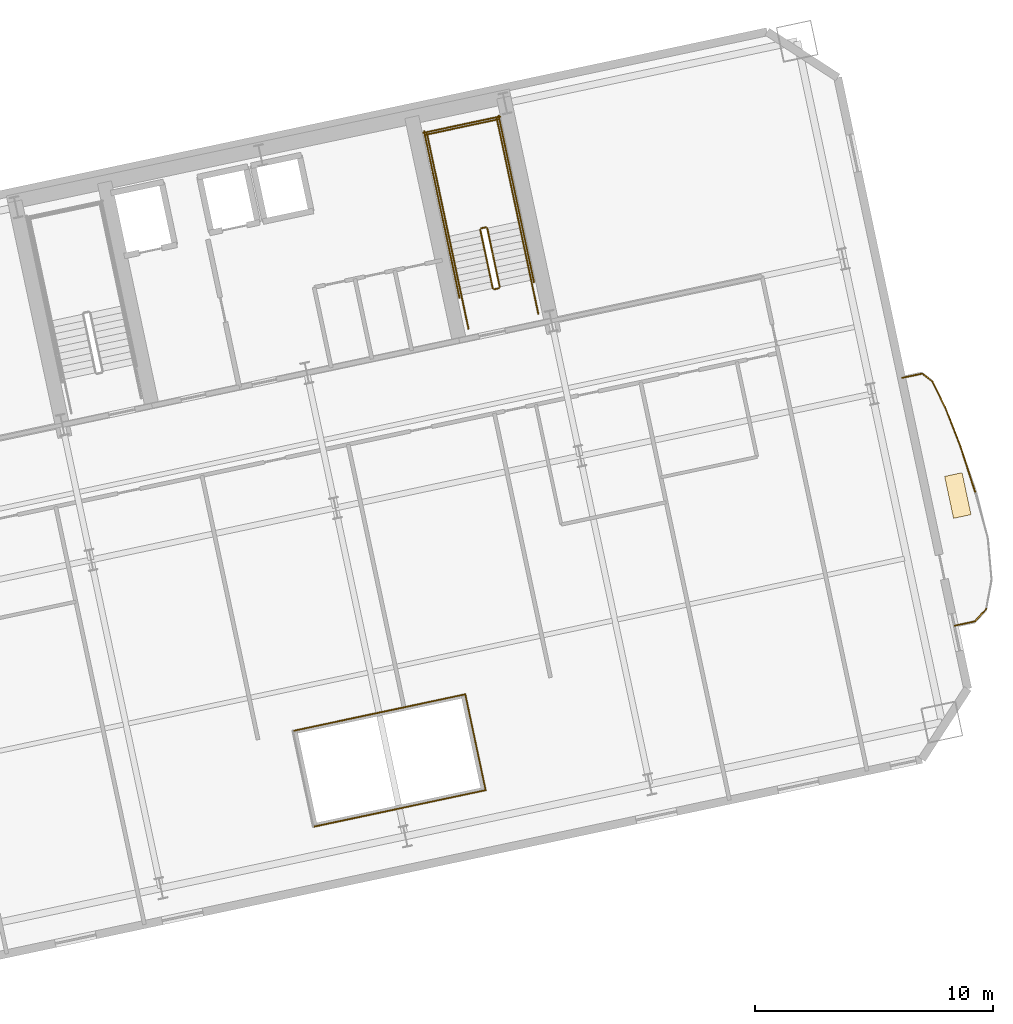
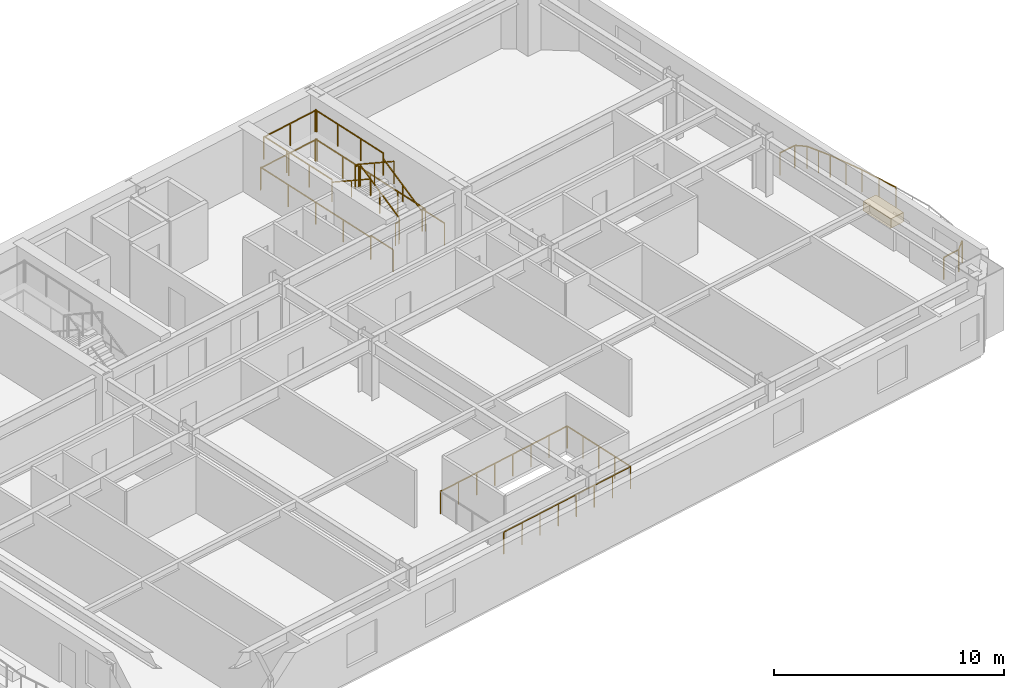
# One storey, part 15 of 16: 24 railings, 1 covering.
"""IFC4 building model written with IfcOpenShell, lengths in metres."""

from ifc_helpers import new_model, si_unit, direction, frame, origin, origin_2d, place, context, subcontext, project, spatial, rectangle, extrude, material, layer, layer_set, type_object, element, save


model = new_model("IFC4")

# Units and contexts
model_context = context("Model", 3, precision=1e-05, world=origin(), true_north=direction((0.0, 1.0)))
body_context = subcontext(model_context, "Body", "Model", "MODEL_VIEW")
ifc_project = project(units=[si_unit("LENGTHUNIT", "METRE"), si_unit("AREAUNIT", "SQUARE_METRE"), si_unit("VOLUMEUNIT", "CUBIC_METRE"), si_unit("PLANEANGLEUNIT", "RADIAN"), si_unit("MASSUNIT", "GRAM", prefix="KILO")], contexts=[model_context])

# Site, building, storey
site_placement = place(None, origin())
site = spatial("IfcSite", under=ifc_project, at=site_placement, CompositionType="ELEMENT")
building_placement = place(site_placement, origin())
building = spatial("IfcBuilding", under=site, at=building_placement, Name="Haevon Station Towers", CompositionType="ELEMENT")
storey_placement = place(building_placement, frame((0.0, 0.0, 57.0)))
storey = spatial("IfcBuildingStorey", under=building, at=storey_placement, Name="L14", CompositionType="ELEMENT", Elevation=57.0)

# Railings
ifc_material_1 = material(Name="Steel S355", Category="steel")
railing_type_1 = type_object("IfcRailingType", Name="BAL-ATR1200", PredefinedType="BALUSTRADE", material=ifc_material_1)
railing_1_placement = place(storey_placement, frame((109.28857421875, 20.5556640625, 0.0)))
element("IfcRailing", 1, at=railing_1_placement, inside=storey, type_object=railing_type_1, Name="L14 Atrium Void Balustrade 1", PredefinedType="BALUSTRADE", context=body_context, shape_type="SweptSolid", body=[
    extrude(rectangle(XDim=0.048095703125, YDim=0.048095703125, at=origin_2d()), frame((0.0, 0.0, 1.17578125), z_axis=(0.978143440909, 0.207931260293, 0.0), x_axis=(-0.207931260293, 0.978143440909, 0.0)), (0.0, 0.0, 1.0), 7.409912109375),
    extrude(rectangle(XDim=0.0419921875, YDim=0.0419921875, at=origin_2d()), origin(), (0.0, 0.0, 1.0), 1.15185546875),
    extrude(rectangle(XDim=0.0419921875, YDim=0.0419921875, at=origin_2d()), frame((1.035400390625, 0.22021484375, 0.0)), (0.0, 0.0, 1.0), 1.15185546875),
    extrude(rectangle(XDim=0.0419921875, YDim=0.0419921875, at=origin_2d()), frame((2.07080078125, 0.440185546875, 0.0)), (0.0, 0.0, 1.0), 1.15185546875),
    extrude(rectangle(XDim=0.0419921875, YDim=0.0419921875, at=origin_2d()), frame((3.106201171875, 0.660400390625, 0.0)), (0.0, 0.0, 1.0), 1.15185546875),
    extrude(rectangle(XDim=0.0419921875, YDim=0.0419921875, at=origin_2d()), frame((4.141845703125, 0.88037109375, 0.0)), (0.0, 0.0, 1.0), 1.15185546875),
    extrude(rectangle(XDim=0.0419921875, YDim=0.0419921875, at=origin_2d()), frame((5.17724609375, 1.1005859375, 0.0)), (0.0, 0.0, 1.0), 1.15185546875),
    extrude(rectangle(XDim=0.0419921875, YDim=0.0419921875, at=origin_2d()), frame((6.212646484375, 1.320556640625, 0.0)), (0.0, 0.0, 1.0), 1.15185546875),
    extrude(rectangle(XDim=0.0419921875, YDim=0.0419921875, at=origin_2d()), frame((7.248046875, 1.540771484375, 0.0)), (0.0, 0.0, 1.0), 1.15185546875),
])
railing_2_placement = place(storey_placement, frame((116.53662109375, 22.096435546875, 0.0)))
element("IfcRailing", 2, at=railing_2_placement, inside=storey, type_object=railing_type_1, Name="L14 Atrium Void Balustrade 2", PredefinedType="BALUSTRADE", context=body_context, shape_type="SweptSolid", body=[
    extrude(rectangle(XDim=0.048095703125, YDim=0.048095703125, at=origin_2d()), frame((0.0, 0.0, 1.17578125), z_axis=(-0.207941039024, 0.97814136212, 0.0), x_axis=(-0.97814136212, -0.207941039024, 0.0)), (0.0, 0.0, 1.0), 4.116455078125),
    extrude(rectangle(XDim=0.0419921875, YDim=0.0419921875, at=origin_2d()), origin(), (0.0, 0.0, 1.0), 1.15185546875),
    extrude(rectangle(XDim=0.0419921875, YDim=0.0419921875, at=origin_2d()), frame((-0.2138671875, 1.006591796875, 0.0)), (0.0, 0.0, 1.0), 1.15185546875),
    extrude(rectangle(XDim=0.0419921875, YDim=0.0419921875, at=origin_2d()), frame((-0.427978515625, 2.01318359375, 0.0)), (0.0, 0.0, 1.0), 1.15185546875),
    extrude(rectangle(XDim=0.0419921875, YDim=0.0419921875, at=origin_2d()), frame((-0.64208984375, 3.019775390625, 0.0)), (0.0, 0.0, 1.0), 1.15185546875),
    extrude(rectangle(XDim=0.0419921875, YDim=0.0419921875, at=origin_2d()), frame((-0.85595703125, 4.0263671875, 0.0)), (0.0, 0.0, 1.0), 1.15185546875),
])
railing_3_placement = place(storey_placement, frame((115.6806640625, 26.122802734375, 0.0)))
element("IfcRailing", 3, at=railing_3_placement, inside=storey, type_object=railing_type_1, Name="L14 Atrium Void Balustrade 3", PredefinedType="BALUSTRADE", context=body_context, shape_type="SweptSolid", body=[
    extrude(rectangle(XDim=0.048095703125, YDim=0.048095703125, at=origin_2d()), frame((0.0, 0.0, 1.17578125), z_axis=(-0.978148717371, -0.207906437384, 0.0), x_axis=(0.207906437384, -0.978148717371, 0.0)), (0.0, 0.0, 1.0), 7.40966796875),
    extrude(rectangle(XDim=0.0419921875, YDim=0.0419921875, at=origin_2d()), origin(), (0.0, 0.0, 1.0), 1.15185546875),
    extrude(rectangle(XDim=0.0419921875, YDim=0.0419921875, at=origin_2d()), frame((-1.035400390625, -0.219970703125, 0.0)), (0.0, 0.0, 1.0), 1.15185546875),
    extrude(rectangle(XDim=0.0419921875, YDim=0.0419921875, at=origin_2d()), frame((-2.07080078125, -0.440185546875, 0.0)), (0.0, 0.0, 1.0), 1.15185546875),
    extrude(rectangle(XDim=0.0419921875, YDim=0.0419921875, at=origin_2d()), frame((-3.106201171875, -0.66015625, 0.0)), (0.0, 0.0, 1.0), 1.15185546875),
    extrude(rectangle(XDim=0.0419921875, YDim=0.0419921875, at=origin_2d()), frame((-4.1416015625, -0.88037109375, 0.0)), (0.0, 0.0, 1.0), 1.15185546875),
    extrude(rectangle(XDim=0.0419921875, YDim=0.0419921875, at=origin_2d()), frame((-5.177001953125, -1.100341796875, 0.0)), (0.0, 0.0, 1.0), 1.15185546875),
    extrude(rectangle(XDim=0.0419921875, YDim=0.0419921875, at=origin_2d()), frame((-6.21240234375, -1.320556640625, 0.0)), (0.0, 0.0, 1.0), 1.15185546875),
    extrude(rectangle(XDim=0.0419921875, YDim=0.0419921875, at=origin_2d()), frame((-7.247802734375, -1.54052734375, 0.0)), (0.0, 0.0, 1.0), 1.15185546875),
])
railing_type_2 = type_object("IfcRailingType", Name="GRD-EXT1200", PredefinedType="GUARDRAIL", material=ifc_material_1)
railing_4_placement = place(storey_placement, frame((136.2490234375, 29.0068359375, 0.0)))
element("IfcRailing", 4, at=railing_4_placement, inside=storey, type_object=railing_type_2, Name="L14 Perimeter Guardrail 1", PredefinedType="GUARDRAIL", context=body_context, shape_type="SweptSolid", body=[
    extrude(rectangle(XDim=0.048095703125, YDim=0.048095703125, at=origin_2d()), frame((0.0, 0.0, 1.17578125), z_axis=(0.977695451476, 0.210027627141, 0.0), x_axis=(-0.210027627141, 0.977695451476, 0.0)), (0.0, 0.0, 1.0), 0.869384765625),
    extrude(rectangle(XDim=0.0419921875, YDim=0.0419921875, at=origin_2d()), origin(), (0.0, 0.0, 1.0), 1.15185546875),
    extrude(rectangle(XDim=0.0419921875, YDim=0.0419921875, at=origin_2d()), frame((0.85009765625, 0.1826171875, 0.0)), (0.0, 0.0, 1.0), 1.15185546875),
])
railing_5_placement = place(storey_placement, frame((137.09912109375, 29.189453125, 0.0)))
element("IfcRailing", 5, at=railing_5_placement, inside=storey, type_object=railing_type_2, Name="L14 Perimeter Guardrail 2", PredefinedType="GUARDRAIL", context=body_context, shape_type="SweptSolid", body=[
    extrude(rectangle(XDim=0.048095703125, YDim=0.048095703125, at=origin_2d()), frame((0.0, 0.0, 1.17578125), z_axis=(0.672896851592, 0.739736322697, 0.0), x_axis=(-0.739736322697, 0.672896851592, 0.0)), (0.0, 0.0, 1.0), 0.705078125),
    extrude(rectangle(XDim=0.0419921875, YDim=0.0419921875, at=origin_2d()), origin(), (0.0, 0.0, 1.0), 1.15185546875),
    extrude(rectangle(XDim=0.0419921875, YDim=0.0419921875, at=origin_2d()), frame((0.474365234375, 0.521484375, 0.0)), (0.0, 0.0, 1.0), 1.15185546875),
])
railing_6_placement = place(storey_placement, frame((137.100341796875, 34.62890625, 0.0)))
element("IfcRailing", 6, at=railing_6_placement, inside=storey, type_object=railing_type_2, Name="L14 Perimeter Guardrail 6", PredefinedType="GUARDRAIL", context=body_context, shape_type="SweptSolid", body=[
    extrude(rectangle(XDim=0.048095703125, YDim=0.048095703125, at=origin_2d()), frame((0.0, 0.0, 1.17578125), z_axis=(-0.307166859975, 0.951655673095, 0.0), x_axis=(-0.951655673095, -0.307166859975, 0.0)), (0.0, 0.0, 1.0), 1.999755859375),
    extrude(rectangle(XDim=0.0419921875, YDim=0.0419921875, at=origin_2d()), origin(), (0.0, 0.0, 1.0), 1.15185546875),
    extrude(rectangle(XDim=0.0419921875, YDim=0.0419921875, at=origin_2d()), frame((-0.30712890625, 0.95166015625, 0.0)), (0.0, 0.0, 1.0), 1.15185546875),
    extrude(rectangle(XDim=0.0419921875, YDim=0.0419921875, at=origin_2d()), frame((-0.6142578125, 1.903076171875, 0.0)), (0.0, 0.0, 1.0), 1.15185546875),
])
railing_7_placement = place(storey_placement, frame((136.486083984375, 36.531982421875, 0.0)))
element("IfcRailing", 7, at=railing_7_placement, inside=storey, type_object=railing_type_2, Name="L14 Perimeter Guardrail 7", PredefinedType="GUARDRAIL", context=body_context, shape_type="SweptSolid", body=[
    extrude(rectangle(XDim=0.048095703125, YDim=0.048095703125, at=origin_2d()), frame((0.0, 0.0, 1.17578125), z_axis=(-0.363828124835, 0.93146610007, 0.0), x_axis=(-0.93146610007, -0.363828124835, 0.0)), (0.0, 0.0, 1.0), 1.77294921875),
    extrude(rectangle(XDim=0.0419921875, YDim=0.0419921875, at=origin_2d()), origin(), (0.0, 0.0, 1.0), 1.15185546875),
    extrude(rectangle(XDim=0.0419921875, YDim=0.0419921875, at=origin_2d()), frame((-0.322509765625, 0.82568359375, 0.0)), (0.0, 0.0, 1.0), 1.15185546875),
    extrude(rectangle(XDim=0.0419921875, YDim=0.0419921875, at=origin_2d()), frame((-0.64501953125, 1.6513671875, 0.0)), (0.0, 0.0, 1.0), 1.15185546875),
])
railing_8_placement = place(storey_placement, frame((135.841064453125, 38.183349609375, 0.0)))
element("IfcRailing", 8, at=railing_8_placement, inside=storey, type_object=railing_type_2, Name="L14 Perimeter Guardrail 8", PredefinedType="GUARDRAIL", context=body_context, shape_type="SweptSolid", body=[
    extrude(rectangle(XDim=0.048095703125, YDim=0.048095703125, at=origin_2d()), frame((0.0, 0.0, 1.17578125), z_axis=(-0.439670949707, 0.898158925794, 0.0), x_axis=(-0.898158925794, -0.439670949707, 0.0)), (0.0, 0.0, 1.0), 1.20654296875),
    extrude(rectangle(XDim=0.0419921875, YDim=0.0419921875, at=origin_2d()), origin(), (0.0, 0.0, 1.0), 1.15185546875),
    extrude(rectangle(XDim=0.0419921875, YDim=0.0419921875, at=origin_2d()), frame((-0.26513671875, 0.5419921875, 0.0)), (0.0, 0.0, 1.0), 1.15185546875),
    extrude(rectangle(XDim=0.0419921875, YDim=0.0419921875, at=origin_2d()), frame((-0.530517578125, 1.083740234375, 0.0)), (0.0, 0.0, 1.0), 1.15185546875),
])
railing_9_placement = place(storey_placement, frame((135.310546875, 39.26708984375, 0.0)))
element("IfcRailing", 9, at=railing_9_placement, inside=storey, type_object=railing_type_2, Name="L14 Perimeter Guardrail 9", PredefinedType="GUARDRAIL", context=body_context, shape_type="SweptSolid", body=[
    extrude(rectangle(XDim=0.048095703125, YDim=0.048095703125, at=origin_2d()), frame((0.0, 0.0, 1.17578125), z_axis=(-0.788740209516, 0.614726672508, 0.0), x_axis=(-0.614726672508, -0.788740209516, 0.0)), (0.0, 0.0, 1.0), 0.537353515625),
    extrude(rectangle(XDim=0.0419921875, YDim=0.0419921875, at=origin_2d()), origin(), (0.0, 0.0, 1.0), 1.15185546875),
    extrude(rectangle(XDim=0.0419921875, YDim=0.0419921875, at=origin_2d()), frame((-0.423828125, 0.330322265625, 0.0)), (0.0, 0.0, 1.0), 1.15185546875),
])
railing_10_placement = place(storey_placement, frame((134.88671875, 39.597412109375, 0.0)))
element("IfcRailing", 10, at=railing_10_placement, inside=storey, type_object=railing_type_2, Name="L14 Perimeter Guardrail 10", PredefinedType="GUARDRAIL", context=body_context, shape_type="SweptSolid", body=[
    extrude(rectangle(XDim=0.048095703125, YDim=0.048095703125, at=origin_2d()), frame((0.0, 0.0, 1.17578125), z_axis=(-0.978645023674, -0.205557577426, 0.0), x_axis=(0.205557577426, -0.978645023674, 0.0)), (0.0, 0.0, 1.0), 0.869384765625),
    extrude(rectangle(XDim=0.0419921875, YDim=0.0419921875, at=origin_2d()), origin(), (0.0, 0.0, 1.0), 1.15185546875),
    extrude(rectangle(XDim=0.0419921875, YDim=0.0419921875, at=origin_2d()), frame((-0.850830078125, -0.1787109375, 0.0)), (0.0, 0.0, 1.0), 1.15185546875),
])
railing_type_3 = type_object("IfcRailingType", Name="GRD-STR1200", PredefinedType="GUARDRAIL", material=ifc_material_1)
railing_11_placement = place(storey_placement, frame((117.128662109375, 43.23974609375, 0.1650390625)))
element("IfcRailing", 11, at=railing_11_placement, inside=storey, type_object=railing_type_3, Name="L14 ST4 Stair Guard 1", PredefinedType="GUARDRAIL", context=body_context, shape_type="SweptSolid", body=[
    extrude(rectangle(XDim=0.048095703125, YDim=0.048095703125, at=origin_2d()), frame((0.0, 0.0, 1.17578125), z_axis=(-0.179128856099, 0.842723639875, 0.507670877349), x_axis=(-0.978147030254, -0.207914374695, 0.0)), (0.0, 0.0, 1.0), 2.9248046875),
    extrude(rectangle(XDim=0.0419921875, YDim=0.0419921875, at=origin_2d()), origin(), (0.0, 0.0, 1.0), 1.15185546875),
    extrude(rectangle(XDim=0.0419921875, YDim=0.0419921875, at=origin_2d()), frame((-0.261962890625, 1.232421875, 0.742431640625)), (0.0, 0.0, 1.0), 1.15185546875),
    extrude(rectangle(XDim=0.0419921875, YDim=0.0419921875, at=origin_2d()), frame((-0.52392578125, 2.46484375, 1.48486328125)), (0.0, 0.0, 1.0), 1.15185546875),
])
railing_12_placement = place(storey_placement, frame((116.54541015625, 45.7431640625, 1.64990234375)))
element("IfcRailing", 12, at=railing_12_placement, inside=storey, type_object=railing_type_3, Name="L14 ST4 Stair Guard 2", PredefinedType="GUARDRAIL", context=body_context, shape_type="SweptSolid", body=[
    extrude(rectangle(XDim=0.048095703125, YDim=0.048095703125, at=origin_2d()), frame((0.0, 0.0, 1.17578125), z_axis=(-0.97826412705, -0.207362720198, 0.0), x_axis=(0.207362720198, -0.97826412705, 0.0)), (0.0, 0.0, 1.0), 0.2001953125),
    extrude(rectangle(XDim=0.0419921875, YDim=0.0419921875, at=origin_2d()), origin(), (0.0, 0.0, 1.0), 1.15185546875),
    extrude(rectangle(XDim=0.0419921875, YDim=0.0419921875, at=origin_2d()), frame((-0.19580078125, -0.04150390625, 0.0)), (0.0, 0.0, 1.0), 1.15185546875),
])
railing_13_placement = place(storey_placement, frame((117.925048828125, 45.9853515625, 1.64990234375)))
element("IfcRailing", 13, at=railing_13_placement, inside=storey, type_object=railing_type_3, Name="L14 ST4 Stair Guard 3", PredefinedType="GUARDRAIL", context=body_context, shape_type="SweptSolid", body=[
    extrude(rectangle(XDim=0.048095703125, YDim=0.048095703125, at=origin_2d()), frame((0.0, 0.0, 1.17578125), z_axis=(-0.207876551949, 0.978155069071, 0.0), x_axis=(-0.978155069071, -0.207876551949, 0.0)), (0.0, 0.0, 1.0), 4.429931640625),
    extrude(rectangle(XDim=0.0419921875, YDim=0.0419921875, at=origin_2d()), origin(), (0.0, 0.0, 1.0), 1.15185546875),
    extrude(rectangle(XDim=0.0419921875, YDim=0.0419921875, at=origin_2d()), frame((-0.306884765625, 1.4443359375, 0.0)), (0.0, 0.0, 1.0), 1.15185546875),
    extrude(rectangle(XDim=0.0419921875, YDim=0.0419921875, at=origin_2d()), frame((-0.614013671875, 2.888916015625, 0.0)), (0.0, 0.0, 1.0), 1.15185546875),
    extrude(rectangle(XDim=0.0419921875, YDim=0.0419921875, at=origin_2d()), frame((-0.9208984375, 4.333251953125, 0.0)), (0.0, 0.0, 1.0), 1.15185546875),
])
railing_14_placement = place(storey_placement, frame((114.99072265625, 45.361572265625, 1.64990234375)))
element("IfcRailing", 14, at=railing_14_placement, inside=storey, type_object=railing_type_3, Name="L14 ST4 Stair Guard 4", PredefinedType="GUARDRAIL", context=body_context, shape_type="SweptSolid", body=[
    extrude(rectangle(XDim=0.048095703125, YDim=0.048095703125, at=origin_2d()), frame((0.0, 0.0, 1.17578125), z_axis=(-0.207929280007, 0.978143861871, 0.0), x_axis=(-0.978143861871, -0.207929280007, 0.0)), (0.0, 0.0, 1.0), 4.43017578125),
    extrude(rectangle(XDim=0.0419921875, YDim=0.0419921875, at=origin_2d()), origin(), (0.0, 0.0, 1.0), 1.15185546875),
    extrude(rectangle(XDim=0.0419921875, YDim=0.0419921875, at=origin_2d()), frame((-0.30712890625, 1.4443359375, 0.0)), (0.0, 0.0, 1.0), 1.15185546875),
    extrude(rectangle(XDim=0.0419921875, YDim=0.0419921875, at=origin_2d()), frame((-0.614013671875, 2.888916015625, 0.0)), (0.0, 0.0, 1.0), 1.15185546875),
    extrude(rectangle(XDim=0.0419921875, YDim=0.0419921875, at=origin_2d()), frame((-0.921142578125, 4.333251953125, 0.0)), (0.0, 0.0, 1.0), 1.15185546875),
])
railing_15_placement = place(storey_placement, frame((117.0634765625, 50.280029296875, 1.64990234375)))
element("IfcRailing", 15, at=railing_15_placement, inside=storey, type_object=railing_type_3, Name="L14 ST4 Stair Guard 5", PredefinedType="GUARDRAIL", context=body_context, shape_type="SweptSolid", body=[
    extrude(rectangle(XDim=0.048095703125, YDim=0.048095703125, at=origin_2d()), frame((0.0, 0.0, 1.17578125), z_axis=(-0.978146839882, -0.207915270313, 0.0), x_axis=(0.207915270313, -0.978146839882, 0.0)), (0.0, 0.0, 1.0), 3.099853515625),
    extrude(rectangle(XDim=0.0419921875, YDim=0.0419921875, at=origin_2d()), origin(), (0.0, 0.0, 1.0), 1.15185546875),
    extrude(rectangle(XDim=0.0419921875, YDim=0.0419921875, at=origin_2d()), frame((-1.51611328125, -0.322265625, 0.0)), (0.0, 0.0, 1.0), 1.15185546875),
    extrude(rectangle(XDim=0.0419921875, YDim=0.0419921875, at=origin_2d()), frame((-3.0322265625, -0.64453125, 0.0)), (0.0, 0.0, 1.0), 1.15185546875),
])
railing_16_placement = place(storey_placement, frame((116.311279296875, 45.642333984375, 1.81494140625)))
element("IfcRailing", 16, at=railing_16_placement, inside=storey, type_object=railing_type_3, Name="L14 ST4 Stair Guard 6", PredefinedType="GUARDRAIL", context=body_context, shape_type="SweptSolid", body=[
    extrude(rectangle(XDim=0.048095703125, YDim=0.048095703125, at=origin_2d()), frame((0.0, 0.0, 1.17578125), z_axis=(0.179108667068, -0.842712120868, 0.50769712105), x_axis=(0.978151217824, 0.207894673017, 0.0)), (0.0, 0.0, 1.0), 2.92529296875),
    extrude(rectangle(XDim=0.0419921875, YDim=0.0419921875, at=origin_2d()), origin(), (0.0, 0.0, 1.0), 1.15185546875),
    extrude(rectangle(XDim=0.0419921875, YDim=0.0419921875, at=origin_2d()), frame((0.261962890625, -1.232421875, 0.74267578125)), (0.0, 0.0, 1.0), 1.15185546875),
    extrude(rectangle(XDim=0.0419921875, YDim=0.0419921875, at=origin_2d()), frame((0.52392578125, -2.465087890625, 1.485107421875)), (0.0, 0.0, 1.0), 1.15185546875),
])
railing_17_placement = place(storey_placement, frame((117.090087890625, 43.180419921875, 0.0)))
element("IfcRailing", 17, at=railing_17_placement, inside=storey, type_object=railing_type_3, Name="L14 ST4 Stair Guard 7", PredefinedType="GUARDRAIL", context=body_context, shape_type="SweptSolid", body=[
    extrude(rectangle(XDim=0.048095703125, YDim=0.048095703125, at=origin_2d()), frame((0.0, 0.0, 1.17578125), z_axis=(-0.978211583308, -0.207610448392, 0.0), x_axis=(0.207610448392, -0.978211583308, 0.0)), (0.0, 0.0, 1.0), 0.199951171875),
    extrude(rectangle(XDim=0.0419921875, YDim=0.0419921875, at=origin_2d()), origin(), (0.0, 0.0, 1.0), 1.15185546875),
    extrude(rectangle(XDim=0.0419921875, YDim=0.0419921875, at=origin_2d()), frame((-0.195556640625, -0.04150390625, 0.0)), (0.0, 0.0, 1.0), 1.15185546875),
])
for number, where, name in (
    (18, (118.75048828125, 42.10205078125, 0.0), "L14 ST4 Stair Guard 8"),
    (19, (115.816162109375, 41.478271484375, 0.0), "L14 ST4 Stair Guard 9"),
):
    element("IfcRailing", number, at=place(storey_placement, frame(where)), inside=storey, type_object=railing_type_3, Name=name, PredefinedType="GUARDRAIL", context=body_context, shape_type="SweptSolid", body=[
        extrude(rectangle(XDim=0.048095703125, YDim=0.048095703125, at=origin_2d()), frame((0.0, 0.0, 1.17578125), z_axis=(-0.207919161079, 0.978146012851, 0.0), x_axis=(-0.978146012851, -0.207919161079, 0.0)), (0.0, 0.0, 1.0), 1.4501953125),
        extrude(rectangle(XDim=0.0419921875, YDim=0.0419921875, at=origin_2d()), origin(), (0.0, 0.0, 1.0), 1.15185546875),
        extrude(rectangle(XDim=0.0419921875, YDim=0.0419921875, at=origin_2d()), frame((-0.301513671875, 1.41845703125, 0.0)), (0.0, 0.0, 1.0), 1.15185546875),
    ])
railing_18_placement = place(storey_placement, frame((118.567626953125, 43.443359375, 0.0)))
element("IfcRailing", 20, at=railing_18_placement, inside=storey, type_object=railing_type_3, Name="L14 ST4 Stair Guard 10", PredefinedType="GUARDRAIL", context=body_context, shape_type="SweptSolid", body=[
    extrude(rectangle(XDim=0.048095703125, YDim=0.048095703125, at=origin_2d()), frame((0.0, 0.0, 1.17578125), z_axis=(-0.207908168386, 0.978148349443, 0.0), x_axis=(-0.978148349443, -0.207908168386, 0.0)), (0.0, 0.0, 1.0), 7.150146484375),
    extrude(rectangle(XDim=0.0419921875, YDim=0.0419921875, at=origin_2d()), origin(), (0.0, 0.0, 1.0), 1.15185546875),
    extrude(rectangle(XDim=0.0419921875, YDim=0.0419921875, at=origin_2d()), frame((-0.37158203125, 1.74853515625, 0.0)), (0.0, 0.0, 1.0), 1.15185546875),
    extrude(rectangle(XDim=0.0419921875, YDim=0.0419921875, at=origin_2d()), frame((-0.7431640625, 3.4970703125, 0.0)), (0.0, 0.0, 1.0), 1.15185546875),
    extrude(rectangle(XDim=0.0419921875, YDim=0.0419921875, at=origin_2d()), frame((-1.114990234375, 5.245361328125, 0.0)), (0.0, 0.0, 1.0), 1.15185546875),
    extrude(rectangle(XDim=0.0419921875, YDim=0.0419921875, at=origin_2d()), frame((-1.486572265625, 6.993896484375, 0.0)), (0.0, 0.0, 1.0), 1.15185546875),
])
railing_19_placement = place(storey_placement, frame((115.4375, 42.778076171875, 0.0)))
element("IfcRailing", 21, at=railing_19_placement, inside=storey, type_object=railing_type_3, Name="L14 ST4 Stair Guard 11", PredefinedType="GUARDRAIL", context=body_context, shape_type="SweptSolid", body=[
    extrude(rectangle(XDim=0.048095703125, YDim=0.048095703125, at=origin_2d()), frame((0.0, 0.0, 1.17578125), z_axis=(-0.207882442208, 0.978153817261, 0.0), x_axis=(-0.978153817261, -0.207882442208, 0.0)), (0.0, 0.0, 1.0), 7.14990234375),
    extrude(rectangle(XDim=0.0419921875, YDim=0.0419921875, at=origin_2d()), origin(), (0.0, 0.0, 1.0), 1.15185546875),
    extrude(rectangle(XDim=0.0419921875, YDim=0.0419921875, at=origin_2d()), frame((-0.37158203125, 1.74853515625, 0.0)), (0.0, 0.0, 1.0), 1.15185546875),
    extrude(rectangle(XDim=0.0419921875, YDim=0.0419921875, at=origin_2d()), frame((-0.7431640625, 3.496826171875, 0.0)), (0.0, 0.0, 1.0), 1.15185546875),
    extrude(rectangle(XDim=0.0419921875, YDim=0.0419921875, at=origin_2d()), frame((-1.11474609375, 5.2451171875, 0.0)), (0.0, 0.0, 1.0), 1.15185546875),
    extrude(rectangle(XDim=0.0419921875, YDim=0.0419921875, at=origin_2d()), frame((-1.486328125, 6.99365234375, 0.0)), (0.0, 0.0, 1.0), 1.15185546875),
])
railing_20_placement = place(storey_placement, frame((117.140380859375, 50.398681640625, 0.0)))
element("IfcRailing", 22, at=railing_20_placement, inside=storey, type_object=railing_type_3, Name="L14 ST4 Stair Guard 12", PredefinedType="GUARDRAIL", context=body_context, shape_type="SweptSolid", body=[
    extrude(rectangle(XDim=0.048095703125, YDim=0.048095703125, at=origin_2d()), frame((0.0, 0.0, 1.17578125), z_axis=(-0.978135717418, -0.207967589567, 0.0), x_axis=(0.207967589567, -0.978135717418, 0.0)), (0.0, 0.0, 1.0), 3.300048828125),
    extrude(rectangle(XDim=0.0419921875, YDim=0.0419921875, at=origin_2d()), origin(), (0.0, 0.0, 1.0), 1.15185546875),
    extrude(rectangle(XDim=0.0419921875, YDim=0.0419921875, at=origin_2d()), frame((-1.61376953125, -0.34326171875, 0.0)), (0.0, 0.0, 1.0), 1.15185546875),
    extrude(rectangle(XDim=0.0419921875, YDim=0.0419921875, at=origin_2d()), frame((-3.227783203125, -0.686279296875, 0.0)), (0.0, 0.0, 1.0), 1.15185546875),
])
railing_type_4 = type_object("IfcRailingType", Name="HND-STR900", PredefinedType="HANDRAIL", material=ifc_material_1)
railing_21_placement = place(storey_placement, frame((118.448974609375, 43.5205078125, 0.1650390625)))
element("IfcRailing", 23, at=railing_21_placement, inside=storey, type_object=railing_type_4, Name="L14 ST4 Stair Handrail 1", PredefinedType="HANDRAIL", context=body_context, shape_type="SweptSolid", body=[
    extrude(rectangle(XDim=0.048095703125, YDim=0.048095703125, at=origin_2d()), frame((0.0, 0.0, 0.8759765625), z_axis=(-0.179128856099, 0.842723639875, 0.507670877349), x_axis=(-0.978147030254, -0.207914374695, 0.0)), (0.0, 0.0, 1.0), 2.9248046875),
    extrude(rectangle(XDim=0.0419921875, YDim=0.0419921875, at=origin_2d()), origin(), (0.0, 0.0, 1.0), 0.851806640625),
    extrude(rectangle(XDim=0.0419921875, YDim=0.0419921875, at=origin_2d()), frame((-0.261962890625, 1.232421875, 0.742431640625)), (0.0, 0.0, 1.0), 0.851806640625),
    extrude(rectangle(XDim=0.0419921875, YDim=0.0419921875, at=origin_2d()), frame((-0.52392578125, 2.46484375, 1.48486328125)), (0.0, 0.0, 1.0), 0.851806640625),
])
railing_22_placement = place(storey_placement, frame((114.99072265625, 45.361572265625, 1.81494140625)))
element("IfcRailing", 24, at=railing_22_placement, inside=storey, type_object=railing_type_4, Name="L14 ST4 Stair Handrail 2", PredefinedType="HANDRAIL", context=body_context, shape_type="SweptSolid", body=[
    extrude(rectangle(XDim=0.048095703125, YDim=0.048095703125, at=origin_2d()), frame((0.0, 0.0, 0.8759765625), z_axis=(0.179121265225, -0.842687928106, 0.507732831485), x_axis=(0.978147030254, 0.207914374695, 0.0)), (0.0, 0.0, 1.0), 2.925048828125),
    extrude(rectangle(XDim=0.0419921875, YDim=0.0419921875, at=origin_2d()), origin(), (0.0, 0.0, 1.0), 0.851806640625),
    extrude(rectangle(XDim=0.0419921875, YDim=0.0419921875, at=origin_2d()), frame((0.261962890625, -1.232421875, 0.74267578125)), (0.0, 0.0, 1.0), 0.851806640625),
    extrude(rectangle(XDim=0.0419921875, YDim=0.0419921875, at=origin_2d()), frame((0.52392578125, -2.46484375, 1.485107421875)), (0.0, 0.0, 1.0), 0.851806640625),
])

# Covering
ifc_material_2 = material(Name="Architectural planter GRC", Category="concrete")
ifc_layer = layer(ifc_material_2, 0.550048828125)
ifc_layer_set = layer_set([ifc_layer], Name="Architectural planter GRC")
covering_type = type_object("IfcCoveringType", Name="PLN-GRC550", PredefinedType="MOLDING", material=ifc_layer_set)
covering_placement = place(storey_placement, frame((136.374755859375, 34.474609375, 0.0), z_axis=(0.0, 0.0, 1.0), x_axis=(0.978147600734, 0.207911690818, 0.0)))
element("IfcCovering", 25, at=covering_placement, inside=storey, type_object=covering_type, Name="Tower 2 L14 Scalloped Balcony PLANTER", PredefinedType="MOLDING", context=body_context, shape_type="SweptSolid", body=[
    extrude(rectangle(XDim=0.75, YDim=1.800048828125, at=origin_2d()), origin(), (0.0, 0.0, 1.0), 0.5),
])

save(model, "model.ifc")
